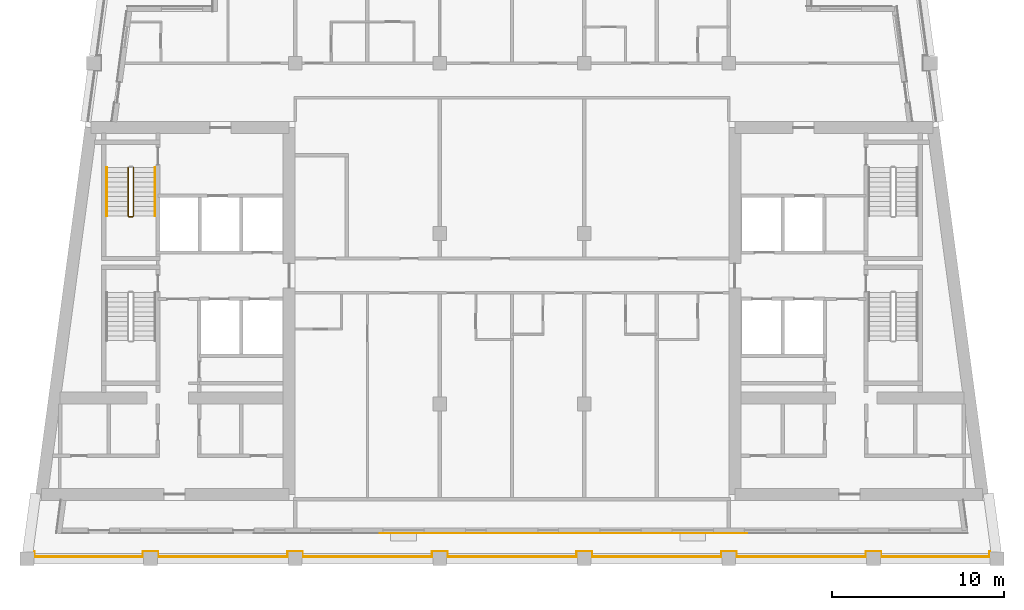
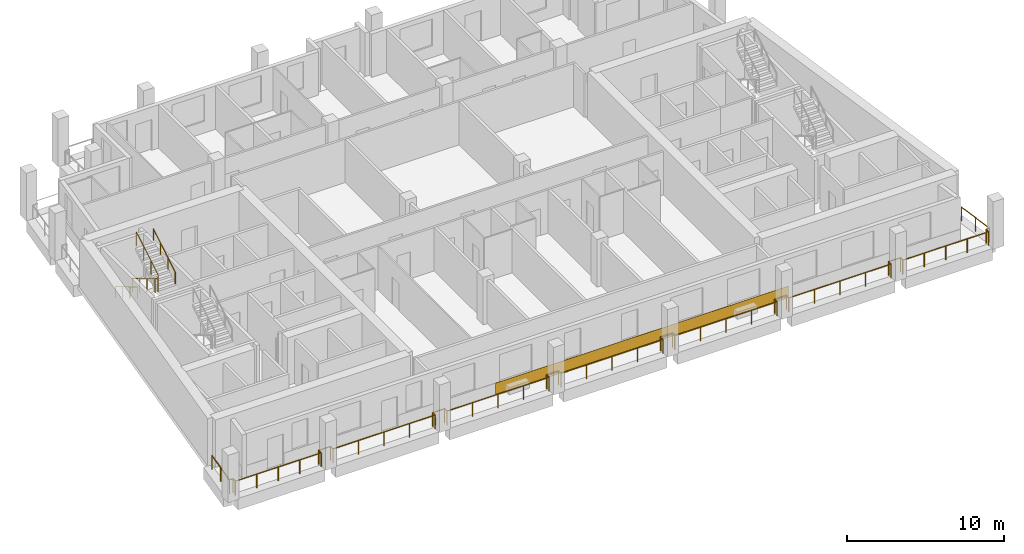
# One storey, part 9 of 13: 4 railings, 1 covering.
"""IFC4 building model written with IfcOpenShell, lengths in metres."""

from ifc_helpers import new_model, si_unit, direction, frame, origin, origin_2d, place, context, subcontext, project, spatial, rectangle, circle, extrude, material, layer, layer_set, type_object, element, save


model = new_model("IFC4")

# Units and contexts
model_context = context("Model", 3, precision=1e-05, world=origin(), true_north=direction((0.0, 1.0)))
body_context = subcontext(model_context, "Body", "Model", "MODEL_VIEW")
ifc_project = project(units=[si_unit("LENGTHUNIT", "METRE"), si_unit("AREAUNIT", "SQUARE_METRE"), si_unit("VOLUMEUNIT", "CUBIC_METRE"), si_unit("PLANEANGLEUNIT", "RADIAN"), si_unit("MASSUNIT", "GRAM", prefix="KILO")], contexts=[model_context])

# Site, building, storey
site_placement = place(None, origin())
site = spatial("IfcSite", under=ifc_project, at=site_placement, CompositionType="ELEMENT")
building_placement = place(site_placement, origin())
building = spatial("IfcBuilding", under=site, at=building_placement, Name="Candeia Pilgrim Tower and Theatre", CompositionType="ELEMENT")
storey_placement = place(building_placement, frame((0.0, 0.0, 277.5)))
storey = spatial("IfcBuildingStorey", under=building, at=storey_placement, Name="L67", CompositionType="ELEMENT", Elevation=277.5)

# Railing
ifc_material_1 = material(Name="Stainless steel balustrade", Category="steel")
railing_type_1 = type_object("IfcRailingType", Name="G1 loggia guard 1100", PredefinedType="GUARDRAIL", material=ifc_material_1)
railing_1_placement = place(storey_placement, frame((141.016357421875, 110.35009765625, 0.0)))
element("IfcRailing", 1, at=railing_1_placement, inside=storey, type_object=railing_type_1, Name="Guard L67.3", PredefinedType="GUARDRAIL", context=body_context, shape_type="SweptSolid", body=[
    extrude(circle(Radius=0.02392578125, at=origin_2d()), frame((0.0, 0.0, 1.076171875), z_axis=(0.133401056725, -0.991062136329, 0.0), x_axis=(0.991062136329, 0.133401056725, 0.0)), (0.0, 0.0, 1.0), 2.946533203125),
    extrude(circle(Radius=0.02392578125, at=origin_2d()), frame((0.39306640625, -2.920166015625, 1.076171875), z_axis=(-1.0, 0.0, 0.0), x_axis=(0.0, -1.0, 0.0)), (0.0, 0.0, 1.0), 0.2509765625),
    extrude(circle(Radius=0.02392578125, at=origin_2d()), frame((0.14208984375, -2.920166015625, 1.076171875), z_axis=(0.0, -1.0, 0.0), x_axis=(1.0, 0.0, 0.0)), (0.0, 0.0, 1.0), 0.309814453125),
    extrude(circle(Radius=0.02392578125, at=origin_2d()), frame((0.14208984375, -3.22998046875, 1.076171875), z_axis=(-1.0, 0.0, 0.0), x_axis=(0.0, -1.0, 0.0)), (0.0, 0.0, 1.0), 6.328369140625),
    extrude(circle(Radius=0.02392578125, at=origin_2d()), frame((-6.186279296875, -3.22998046875, 1.076171875), z_axis=(0.0, 1.0, 0.0), x_axis=(-1.0, 0.0, 0.0)), (0.0, 0.0, 1.0), 0.309814453125),
    extrude(circle(Radius=0.02392578125, at=origin_2d()), frame((-6.186279296875, -2.920166015625, 1.076171875), z_axis=(-1.0, 0.0, 0.0), x_axis=(0.0, -1.0, 0.0)), (0.0, 0.0, 1.0), 0.860107421875),
    extrude(circle(Radius=0.02392578125, at=origin_2d()), frame((-7.04638671875, -2.920166015625, 1.076171875), z_axis=(0.0, -1.0, 0.0), x_axis=(1.0, 0.0, 0.0)), (0.0, 0.0, 1.0), 0.309814453125),
    extrude(circle(Radius=0.02392578125, at=origin_2d()), frame((-7.04638671875, -3.22998046875, 1.076171875), z_axis=(-1.0, 0.0, 0.0), x_axis=(0.0, -1.0, 0.0)), (0.0, 0.0, 1.0), 7.5400390625),
    extrude(circle(Radius=0.02392578125, at=origin_2d()), frame((-14.58642578125, -3.22998046875, 1.076171875), z_axis=(0.0, 1.0, 0.0), x_axis=(-1.0, 0.0, 0.0)), (0.0, 0.0, 1.0), 0.309814453125),
    extrude(circle(Radius=0.02392578125, at=origin_2d()), frame((-14.58642578125, -2.920166015625, 1.076171875), z_axis=(-1.0, 0.0, 0.0), x_axis=(0.0, -1.0, 0.0)), (0.0, 0.0, 1.0), 0.85986328125),
    extrude(circle(Radius=0.02392578125, at=origin_2d()), frame((-15.4462890625, -2.920166015625, 1.076171875), z_axis=(0.0, -1.0, 0.0), x_axis=(1.0, 0.0, 0.0)), (0.0, 0.0, 1.0), 0.309814453125),
    extrude(circle(Radius=0.02392578125, at=origin_2d()), frame((-15.4462890625, -3.22998046875, 1.076171875), z_axis=(-1.0, 0.0, 0.0), x_axis=(0.0, -1.0, 0.0)), (0.0, 0.0, 1.0), 7.5400390625),
    extrude(circle(Radius=0.02392578125, at=origin_2d()), frame((-22.986328125, -3.22998046875, 1.076171875), z_axis=(0.0, 1.0, 0.0), x_axis=(-1.0, 0.0, 0.0)), (0.0, 0.0, 1.0), 0.309814453125),
    extrude(circle(Radius=0.02392578125, at=origin_2d()), frame((-22.986328125, -2.920166015625, 1.076171875), z_axis=(-1.0, 0.0, 0.0), x_axis=(0.0, -1.0, 0.0)), (0.0, 0.0, 1.0), 0.860107421875),
    extrude(circle(Radius=0.02392578125, at=origin_2d()), frame((-23.846435546875, -2.920166015625, 1.076171875), z_axis=(0.0, -1.0, 0.0), x_axis=(1.0, 0.0, 0.0)), (0.0, 0.0, 1.0), 0.309814453125),
    extrude(circle(Radius=0.02392578125, at=origin_2d()), frame((-23.846435546875, -3.22998046875, 1.076171875), z_axis=(-1.0, 0.0, 0.0), x_axis=(0.0, -1.0, 0.0)), (0.0, 0.0, 1.0), 7.5400390625),
    extrude(circle(Radius=0.02392578125, at=origin_2d()), frame((-31.386474609375, -3.22998046875, 1.076171875), z_axis=(0.0, 1.0, 0.0), x_axis=(-1.0, 0.0, 0.0)), (0.0, 0.0, 1.0), 0.309814453125),
    extrude(circle(Radius=0.02392578125, at=origin_2d()), frame((-31.386474609375, -2.920166015625, 1.076171875), z_axis=(-1.0, 0.0, 0.0), x_axis=(0.0, -1.0, 0.0)), (0.0, 0.0, 1.0), 0.85986328125),
    extrude(circle(Radius=0.02392578125, at=origin_2d()), frame((-32.246337890625, -2.920166015625, 1.076171875), z_axis=(0.0, -1.0, 0.0), x_axis=(1.0, 0.0, 0.0)), (0.0, 0.0, 1.0), 0.309814453125),
    extrude(circle(Radius=0.02392578125, at=origin_2d()), frame((-32.246337890625, -3.22998046875, 1.076171875), z_axis=(-1.0, 0.0, 0.0), x_axis=(0.0, -1.0, 0.0)), (0.0, 0.0, 1.0), 7.5400390625),
    extrude(circle(Radius=0.02392578125, at=origin_2d()), frame((-39.786376953125, -3.22998046875, 1.076171875), z_axis=(0.0, 1.0, 0.0), x_axis=(-1.0, 0.0, 0.0)), (0.0, 0.0, 1.0), 0.309814453125),
    extrude(circle(Radius=0.02392578125, at=origin_2d()), frame((-39.786376953125, -2.920166015625, 1.076171875), z_axis=(-1.0, 0.0, 0.0), x_axis=(0.0, -1.0, 0.0)), (0.0, 0.0, 1.0), 0.85986328125),
    extrude(circle(Radius=0.02392578125, at=origin_2d()), frame((-40.646240234375, -2.920166015625, 1.076171875), z_axis=(0.0, -1.0, 0.0), x_axis=(1.0, 0.0, 0.0)), (0.0, 0.0, 1.0), 0.309814453125),
    extrude(circle(Radius=0.02392578125, at=origin_2d()), frame((-40.646240234375, -3.22998046875, 1.076171875), z_axis=(-1.0, 0.0, 0.0), x_axis=(0.0, -1.0, 0.0)), (0.0, 0.0, 1.0), 7.5400390625),
    extrude(circle(Radius=0.02392578125, at=origin_2d()), frame((-48.186279296875, -3.22998046875, 1.076171875), z_axis=(0.0, 1.0, 0.0), x_axis=(-1.0, 0.0, 0.0)), (0.0, 0.0, 1.0), 0.309814453125),
    extrude(circle(Radius=0.02392578125, at=origin_2d()), frame((-48.186279296875, -2.920166015625, 1.076171875), z_axis=(-1.0, 0.0, 0.0), x_axis=(0.0, -1.0, 0.0)), (0.0, 0.0, 1.0), 0.860107421875),
    extrude(circle(Radius=0.02392578125, at=origin_2d()), frame((-49.04638671875, -2.920166015625, 1.076171875), z_axis=(0.0, -1.0, 0.0), x_axis=(1.0, 0.0, 0.0)), (0.0, 0.0, 1.0), 0.309814453125),
    extrude(circle(Radius=0.02392578125, at=origin_2d()), frame((-49.04638671875, -3.22998046875, 1.076171875), z_axis=(-1.0, 0.0, 0.0), x_axis=(0.0, -1.0, 0.0)), (0.0, 0.0, 1.0), 6.328369140625),
    extrude(circle(Radius=0.02392578125, at=origin_2d()), frame((-55.374755859375, -3.22998046875, 1.076171875), z_axis=(0.0, 1.0, 0.0), x_axis=(-1.0, 0.0, 0.0)), (0.0, 0.0, 1.0), 0.309814453125),
    extrude(circle(Radius=0.02392578125, at=origin_2d()), frame((-55.374755859375, -2.920166015625, 1.076171875), z_axis=(-1.0, 0.0, 0.0), x_axis=(0.0, -1.0, 0.0)), (0.0, 0.0, 1.0), 0.2509765625),
    extrude(circle(Radius=0.02392578125, at=origin_2d()), frame((-55.625732421875, -2.920166015625, 1.076171875), z_axis=(0.133401056725, 0.991062136329, 0.0), x_axis=(-0.991062136329, 0.133401056725, 0.0)), (0.0, 0.0, 1.0), 2.946533203125),
    extrude(circle(Radius=0.02099609375, at=origin_2d()), origin(), (0.0, 0.0, 1.0), 1.052001953125),
    extrude(circle(Radius=0.02099609375, at=origin_2d()), frame((0.196533203125, -1.4599609375, 0.0)), (0.0, 0.0, 1.0), 1.052001953125),
    extrude(circle(Radius=0.02099609375, at=origin_2d()), frame((0.39306640625, -2.920166015625, 0.0)), (0.0, 0.0, 1.0), 1.052001953125),
    extrude(circle(Radius=0.02099609375, at=origin_2d()), frame((0.14208984375, -2.920166015625, 0.0)), (0.0, 0.0, 1.0), 1.052001953125),
    extrude(circle(Radius=0.02099609375, at=origin_2d()), frame((0.14208984375, -3.22998046875, 0.0)), (0.0, 0.0, 1.0), 1.052001953125),
    extrude(circle(Radius=0.02099609375, at=origin_2d()), frame((-1.43994140625, -3.22998046875, 0.0)), (0.0, 0.0, 1.0), 1.052001953125),
    extrude(circle(Radius=0.02099609375, at=origin_2d()), frame((-3.02197265625, -3.22998046875, 0.0)), (0.0, 0.0, 1.0), 1.052001953125),
    extrude(circle(Radius=0.02099609375, at=origin_2d()), frame((-4.604248046875, -3.22998046875, 0.0)), (0.0, 0.0, 1.0), 1.052001953125),
    extrude(circle(Radius=0.02099609375, at=origin_2d()), frame((-6.186279296875, -3.22998046875, 0.0)), (0.0, 0.0, 1.0), 1.052001953125),
    extrude(circle(Radius=0.02099609375, at=origin_2d()), frame((-6.186279296875, -2.920166015625, 0.0)), (0.0, 0.0, 1.0), 1.052001953125),
    extrude(circle(Radius=0.02099609375, at=origin_2d()), frame((-7.04638671875, -2.920166015625, 0.0)), (0.0, 0.0, 1.0), 1.052001953125),
    extrude(circle(Radius=0.02099609375, at=origin_2d()), frame((-7.04638671875, -3.22998046875, 0.0)), (0.0, 0.0, 1.0), 1.052001953125),
    extrude(circle(Radius=0.02099609375, at=origin_2d()), frame((-8.931396484375, -3.22998046875, 0.0)), (0.0, 0.0, 1.0), 1.052001953125),
    extrude(circle(Radius=0.02099609375, at=origin_2d()), frame((-10.81640625, -3.22998046875, 0.0)), (0.0, 0.0, 1.0), 1.052001953125),
    extrude(circle(Radius=0.02099609375, at=origin_2d()), frame((-12.701416015625, -3.22998046875, 0.0)), (0.0, 0.0, 1.0), 1.052001953125),
    extrude(circle(Radius=0.02099609375, at=origin_2d()), frame((-14.58642578125, -3.22998046875, 0.0)), (0.0, 0.0, 1.0), 1.052001953125),
    extrude(circle(Radius=0.02099609375, at=origin_2d()), frame((-14.58642578125, -2.920166015625, 0.0)), (0.0, 0.0, 1.0), 1.052001953125),
    extrude(circle(Radius=0.02099609375, at=origin_2d()), frame((-15.4462890625, -2.920166015625, 0.0)), (0.0, 0.0, 1.0), 1.052001953125),
    extrude(circle(Radius=0.02099609375, at=origin_2d()), frame((-15.4462890625, -3.22998046875, 0.0)), (0.0, 0.0, 1.0), 1.052001953125),
    extrude(circle(Radius=0.02099609375, at=origin_2d()), frame((-17.331298828125, -3.22998046875, 0.0)), (0.0, 0.0, 1.0), 1.052001953125),
    extrude(circle(Radius=0.02099609375, at=origin_2d()), frame((-19.21630859375, -3.22998046875, 0.0)), (0.0, 0.0, 1.0), 1.052001953125),
    extrude(circle(Radius=0.02099609375, at=origin_2d()), frame((-21.101318359375, -3.22998046875, 0.0)), (0.0, 0.0, 1.0), 1.052001953125),
    extrude(circle(Radius=0.02099609375, at=origin_2d()), frame((-22.986328125, -3.22998046875, 0.0)), (0.0, 0.0, 1.0), 1.052001953125),
    extrude(circle(Radius=0.02099609375, at=origin_2d()), frame((-22.986328125, -2.920166015625, 0.0)), (0.0, 0.0, 1.0), 1.052001953125),
    extrude(circle(Radius=0.02099609375, at=origin_2d()), frame((-23.846435546875, -2.920166015625, 0.0)), (0.0, 0.0, 1.0), 1.052001953125),
    extrude(circle(Radius=0.02099609375, at=origin_2d()), frame((-23.846435546875, -3.22998046875, 0.0)), (0.0, 0.0, 1.0), 1.052001953125),
    extrude(circle(Radius=0.02099609375, at=origin_2d()), frame((-25.7314453125, -3.22998046875, 0.0)), (0.0, 0.0, 1.0), 1.052001953125),
    extrude(circle(Radius=0.02099609375, at=origin_2d()), frame((-27.616455078125, -3.22998046875, 0.0)), (0.0, 0.0, 1.0), 1.052001953125),
    extrude(circle(Radius=0.02099609375, at=origin_2d()), frame((-29.50146484375, -3.22998046875, 0.0)), (0.0, 0.0, 1.0), 1.052001953125),
    extrude(circle(Radius=0.02099609375, at=origin_2d()), frame((-31.386474609375, -3.22998046875, 0.0)), (0.0, 0.0, 1.0), 1.052001953125),
    extrude(circle(Radius=0.02099609375, at=origin_2d()), frame((-31.386474609375, -2.920166015625, 0.0)), (0.0, 0.0, 1.0), 1.052001953125),
    extrude(circle(Radius=0.02099609375, at=origin_2d()), frame((-32.246337890625, -2.920166015625, 0.0)), (0.0, 0.0, 1.0), 1.052001953125),
    extrude(circle(Radius=0.02099609375, at=origin_2d()), frame((-32.246337890625, -3.22998046875, 0.0)), (0.0, 0.0, 1.0), 1.052001953125),
    extrude(circle(Radius=0.02099609375, at=origin_2d()), frame((-34.13134765625, -3.22998046875, 0.0)), (0.0, 0.0, 1.0), 1.052001953125),
    extrude(circle(Radius=0.02099609375, at=origin_2d()), frame((-36.016357421875, -3.22998046875, 0.0)), (0.0, 0.0, 1.0), 1.052001953125),
    extrude(circle(Radius=0.02099609375, at=origin_2d()), frame((-37.9013671875, -3.22998046875, 0.0)), (0.0, 0.0, 1.0), 1.052001953125),
    extrude(circle(Radius=0.02099609375, at=origin_2d()), frame((-39.786376953125, -3.22998046875, 0.0)), (0.0, 0.0, 1.0), 1.052001953125),
    extrude(circle(Radius=0.02099609375, at=origin_2d()), frame((-39.786376953125, -2.920166015625, 0.0)), (0.0, 0.0, 1.0), 1.052001953125),
    extrude(circle(Radius=0.02099609375, at=origin_2d()), frame((-40.646240234375, -2.920166015625, 0.0)), (0.0, 0.0, 1.0), 1.052001953125),
    extrude(circle(Radius=0.02099609375, at=origin_2d()), frame((-40.646240234375, -3.22998046875, 0.0)), (0.0, 0.0, 1.0), 1.052001953125),
    extrude(circle(Radius=0.02099609375, at=origin_2d()), frame((-42.53125, -3.22998046875, 0.0)), (0.0, 0.0, 1.0), 1.052001953125),
    extrude(circle(Radius=0.02099609375, at=origin_2d()), frame((-44.416259765625, -3.22998046875, 0.0)), (0.0, 0.0, 1.0), 1.052001953125),
    extrude(circle(Radius=0.02099609375, at=origin_2d()), frame((-46.30126953125, -3.22998046875, 0.0)), (0.0, 0.0, 1.0), 1.052001953125),
    extrude(circle(Radius=0.02099609375, at=origin_2d()), frame((-48.186279296875, -3.22998046875, 0.0)), (0.0, 0.0, 1.0), 1.052001953125),
    extrude(circle(Radius=0.02099609375, at=origin_2d()), frame((-48.186279296875, -2.920166015625, 0.0)), (0.0, 0.0, 1.0), 1.052001953125),
    extrude(circle(Radius=0.02099609375, at=origin_2d()), frame((-49.04638671875, -2.920166015625, 0.0)), (0.0, 0.0, 1.0), 1.052001953125),
    extrude(circle(Radius=0.02099609375, at=origin_2d()), frame((-49.04638671875, -3.22998046875, 0.0)), (0.0, 0.0, 1.0), 1.052001953125),
    extrude(circle(Radius=0.02099609375, at=origin_2d()), frame((-50.62841796875, -3.22998046875, 0.0)), (0.0, 0.0, 1.0), 1.052001953125),
    extrude(circle(Radius=0.02099609375, at=origin_2d()), frame((-52.21044921875, -3.22998046875, 0.0)), (0.0, 0.0, 1.0), 1.052001953125),
    extrude(circle(Radius=0.02099609375, at=origin_2d()), frame((-53.792724609375, -3.22998046875, 0.0)), (0.0, 0.0, 1.0), 1.052001953125),
    extrude(circle(Radius=0.02099609375, at=origin_2d()), frame((-55.374755859375, -3.22998046875, 0.0)), (0.0, 0.0, 1.0), 1.052001953125),
    extrude(circle(Radius=0.02099609375, at=origin_2d()), frame((-55.374755859375, -2.920166015625, 0.0)), (0.0, 0.0, 1.0), 1.052001953125),
    extrude(circle(Radius=0.02099609375, at=origin_2d()), frame((-55.625732421875, -2.920166015625, 0.0)), (0.0, 0.0, 1.0), 1.052001953125),
    extrude(circle(Radius=0.02099609375, at=origin_2d()), frame((-55.42919921875, -1.4599609375, 0.0)), (0.0, 0.0, 1.0), 1.052001953125),
    extrude(circle(Radius=0.02099609375, at=origin_2d()), frame((-55.232666015625, 0.0, 0.0)), (0.0, 0.0, 1.0), 1.052001953125),
])

# Covering
ifc_material_2 = material(Name="Glazed ceramic tile rust")
ifc_layer = layer(ifc_material_2, 0.02001953125)
ifc_layer_set = layer_set([ifc_layer], Name="Glazed ceramic tile rust")
covering_type = type_object("IfcCoveringType", Name="Glazed ceramic tile rust", PredefinedType="CLADDING", material=ifc_layer_set)
covering_placement = place(storey_placement, frame((116.39990234375, 108.489990234375, 0.0), z_axis=(0.0, 0.0, 1.0), x_axis=(1.0, 0.0, 0.0)))
element("IfcCovering", 2, at=covering_placement, inside=storey, type_object=covering_type, Name="Tile cladding rust L67", PredefinedType="CLADDING", context=body_context, shape_type="SweptSolid", body=[
    extrude(rectangle(XDim=21.60009765625, YDim=0.02001953125, at=origin_2d()), origin(), (0.0, 0.0, 1.0), 0.89990234375),
])

# Railings
railing_type_2 = type_object("IfcRailingType", Name="RL-GUARD-1100", PredefinedType="GUARDRAIL", material=ifc_material_1)
railing_2_placement = place(storey_placement, frame((91.10205078125, 129.72509765625, 0.168212890625)))
element("IfcRailing", 3, at=railing_2_placement, inside=storey, type_object=railing_type_2, Name="L67 ST2 stair guard 1", PredefinedType="GUARDRAIL", context=body_context, shape_type="SweptSolid", body=[
    extrude(circle(Radius=0.02392578125, at=origin_2d()), frame((0.0, 0.0, 1.076171875), z_axis=(0.0, -0.857242210791, 0.514913383045), x_axis=(1.0, 0.0, 0.0)), (0.0, 0.0, 1.0), 3.266357421875),
    extrude(circle(Radius=0.02392578125, at=origin_2d()), frame((0.0, -2.800048828125, 2.7578125), z_axis=(0.707106781187, -0.707106781187, 0.0), x_axis=(0.707106781187, 0.707106781187, 0.0)), (0.0, 0.0, 1.0), 0.07080078125),
    extrude(circle(Radius=0.02392578125, at=origin_2d()), frame((0.050048828125, -2.85009765625, 2.7578125), z_axis=(1.0, 0.0, 0.0), x_axis=(0.0, 1.0, 0.0)), (0.0, 0.0, 1.0), 0.199951171875),
    extrude(circle(Radius=0.02392578125, at=origin_2d()), frame((0.25, -2.85009765625, 2.7578125), z_axis=(0.274582412415, 0.274582412415, 0.921525364591), x_axis=(-0.707106781187, 0.707106781187, 0.0)), (0.0, 0.0, 1.0), 0.182373046875),
    extrude(circle(Radius=0.02392578125, at=origin_2d()), frame((0.300048828125, -2.800048828125, 2.92578125), z_axis=(0.0, 0.857242210791, 0.514913383045), x_axis=(-1.0, 0.0, 0.0)), (0.0, 0.0, 1.0), 3.266357421875),
    extrude(circle(Radius=0.02099609375, at=origin_2d()), origin(), (0.0, 0.0, 1.0), 1.052001953125),
    extrude(circle(Radius=0.02099609375, at=origin_2d()), frame((0.0, -0.933349609375, 0.560546875)), (0.0, 0.0, 1.0), 1.052001953125),
    extrude(circle(Radius=0.02099609375, at=origin_2d()), frame((0.0, -1.86669921875, 1.121337890625)), (0.0, 0.0, 1.0), 1.052001953125),
    extrude(circle(Radius=0.02099609375, at=origin_2d()), frame((0.0, -2.800048828125, 1.681884765625)), (0.0, 0.0, 1.0), 1.052001953125),
    extrude(circle(Radius=0.02099609375, at=origin_2d()), frame((0.050048828125, -2.85009765625, 1.681884765625)), (0.0, 0.0, 1.0), 1.052001953125),
    extrude(circle(Radius=0.02099609375, at=origin_2d()), frame((0.25, -2.85009765625, 1.681884765625)), (0.0, 0.0, 1.0), 1.052001953125),
    extrude(circle(Radius=0.02099609375, at=origin_2d()), frame((0.300048828125, -2.800048828125, 1.849853515625)), (0.0, 0.0, 1.0), 1.052001953125),
    extrude(circle(Radius=0.02099609375, at=origin_2d()), frame((0.300048828125, -1.86669921875, 2.410400390625)), (0.0, 0.0, 1.0), 1.052001953125),
    extrude(circle(Radius=0.02099609375, at=origin_2d()), frame((0.300048828125, -0.933349609375, 2.97119140625)), (0.0, 0.0, 1.0), 1.052001953125),
    extrude(circle(Radius=0.02099609375, at=origin_2d()), frame((0.300048828125, 0.0, 3.53173828125)), (0.0, 0.0, 1.0), 1.052001953125),
])
ifc_material_3 = material(Name="Stainless steel handrail", Category="steel")
railing_type_3 = type_object("IfcRailingType", Name="RL-HANDRAIL-900", PredefinedType="HANDRAIL", material=ifc_material_3)
railing_3_placement = place(storey_placement, frame((89.85205078125, 129.72509765625, 0.168212890625)))
element("IfcRailing", 4, at=railing_3_placement, inside=storey, type_object=railing_type_3, Name="L67 ST2 stair handrail 1", PredefinedType="HANDRAIL", context=body_context, shape_type="SweptSolid", body=[
    extrude(circle(Radius=0.02392578125, at=origin_2d()), frame((0.0, 0.0, 0.8759765625), z_axis=(0.0, -0.857242210791, 0.514913383045), x_axis=(1.0, 0.0, 0.0)), (0.0, 0.0, 1.0), 3.266357421875),
    extrude(circle(Radius=0.02099609375, at=origin_2d()), origin(), (0.0, 0.0, 1.0), 0.851806640625),
    extrude(circle(Radius=0.02099609375, at=origin_2d()), frame((0.0, -0.933349609375, 0.560546875)), (0.0, 0.0, 1.0), 0.851806640625),
    extrude(circle(Radius=0.02099609375, at=origin_2d()), frame((0.0, -1.86669921875, 1.121337890625)), (0.0, 0.0, 1.0), 0.851806640625),
    extrude(circle(Radius=0.02099609375, at=origin_2d()), frame((0.0, -2.800048828125, 1.681884765625)), (0.0, 0.0, 1.0), 0.851806640625),
])
railing_4_placement = place(storey_placement, frame((92.652099609375, 126.925048828125, 2.01806640625)))
element("IfcRailing", 5, at=railing_4_placement, inside=storey, type_object=railing_type_3, Name="L67 ST2 stair handrail 2", PredefinedType="HANDRAIL", context=body_context, shape_type="SweptSolid", body=[
    extrude(circle(Radius=0.02392578125, at=origin_2d()), frame((0.0, 0.0, 0.8759765625), z_axis=(0.0, 0.857242210791, 0.514913383045), x_axis=(-1.0, 0.0, 0.0)), (0.0, 0.0, 1.0), 3.266357421875),
    extrude(circle(Radius=0.02099609375, at=origin_2d()), origin(), (0.0, 0.0, 1.0), 0.851806640625),
    extrude(circle(Radius=0.02099609375, at=origin_2d()), frame((0.0, 0.933349609375, 0.560546875)), (0.0, 0.0, 1.0), 0.851806640625),
    extrude(circle(Radius=0.02099609375, at=origin_2d()), frame((0.0, 1.86669921875, 1.121337890625)), (0.0, 0.0, 1.0), 0.851806640625),
    extrude(circle(Radius=0.02099609375, at=origin_2d()), frame((0.0, 2.800048828125, 1.681884765625)), (0.0, 0.0, 1.0), 0.851806640625),
])

save(model, "model.ifc")
